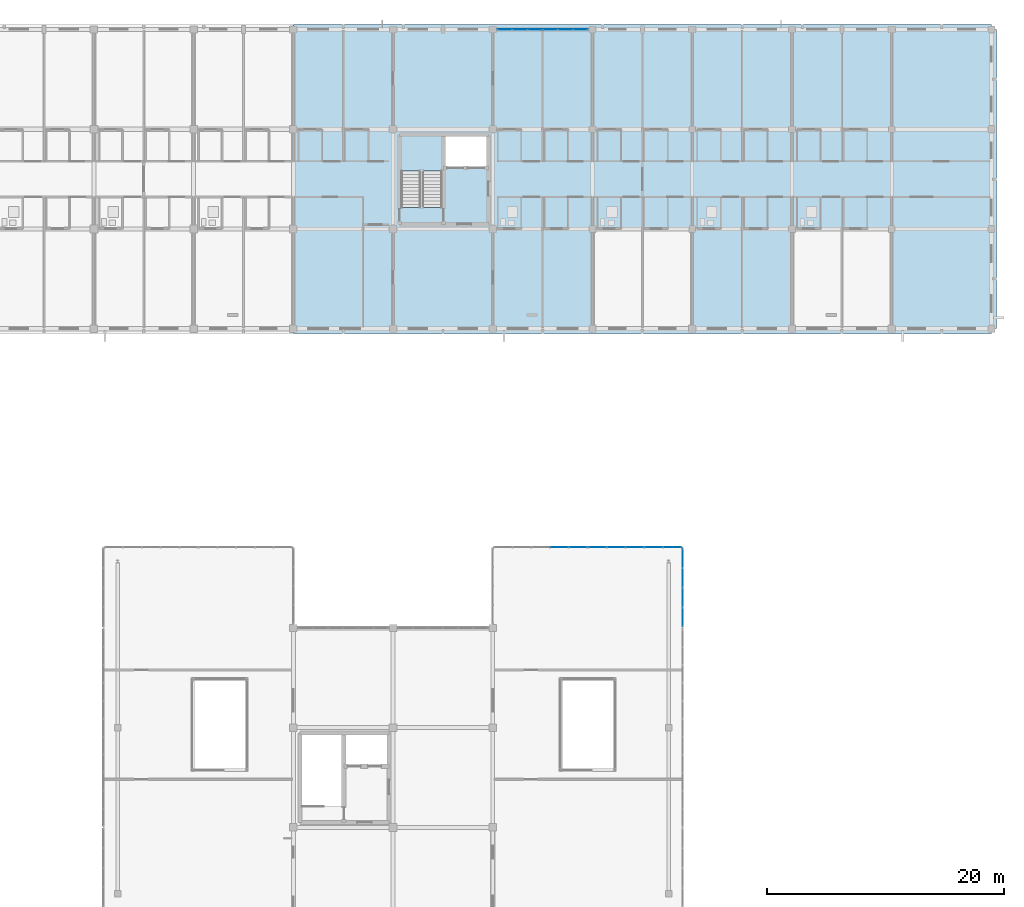
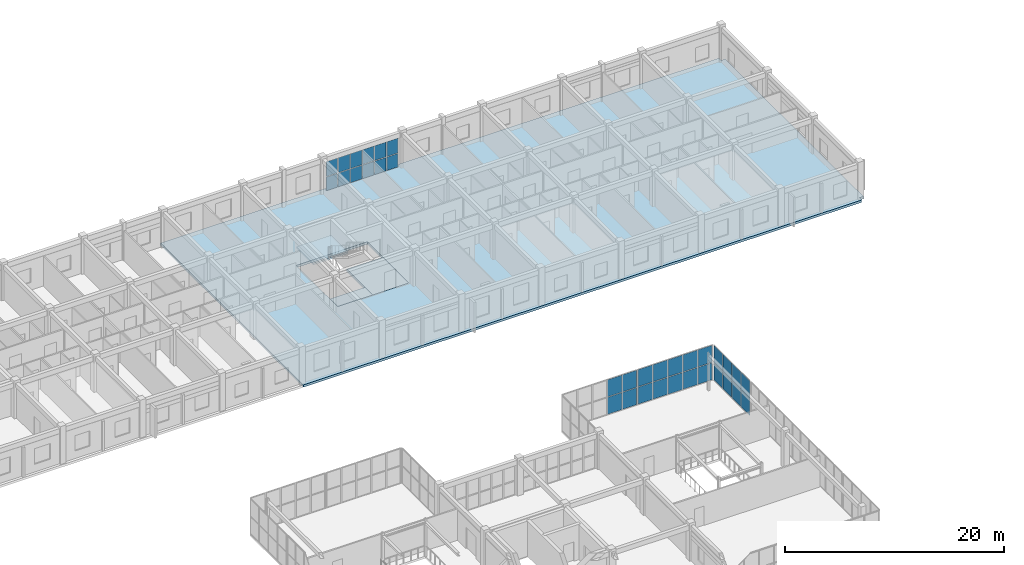
# One storey, part 56 of 81: 34 plates, 4 slabs, 5 elements without a shape of their own.
"""IFC4 building model written with IfcOpenShell, lengths in metres."""

from ifc_helpers import new_model, si_unit, direction, frame, origin, origin_2d, place, context, subcontext, project, spatial, polyline, rectangle, outline, extrude, material, layer, layer_set, type_object, element, aggregate, save


model = new_model("IFC4")

# Units and contexts
model_context = context("Model", 3, precision=1e-05, world=origin(), true_north=direction((0.0, 1.0)))
body_context = subcontext(model_context, "Body", "Model", "MODEL_VIEW")
ifc_project = project(units=[si_unit("LENGTHUNIT", "METRE"), si_unit("AREAUNIT", "SQUARE_METRE"), si_unit("VOLUMEUNIT", "CUBIC_METRE"), si_unit("PLANEANGLEUNIT", "RADIAN"), si_unit("MASSUNIT", "GRAM", prefix="KILO")], contexts=[model_context])

# Site, building, storey
site_placement = place(None, origin())
site = spatial("IfcSite", under=ifc_project, at=site_placement, CompositionType="ELEMENT")
building_placement = place(site_placement, origin())
building = spatial("IfcBuilding", under=site, at=building_placement, Name="Trelvath General Hospital", CompositionType="ELEMENT")
storey_placement = place(building_placement, frame((0.0, 0.0, 24.60009765625)))
storey = spatial("IfcBuildingStorey", under=building, at=storey_placement, Name="L06", CompositionType="ELEMENT", Elevation=24.60009765625)

# Curtain wall, plates
ifc_material_1 = material(Name="Anodised aluminium and low-E glass", Category="aluminium")
ifc_layer_1 = layer(ifc_material_1, 0.14990234375)
ifc_layer_set_1 = layer_set([ifc_layer_1], Name="Anodised aluminium and low-E glass")
curtain_wall_type_1 = type_object("IfcCurtainWallType", Name="CW Facade 767 334 15", PredefinedType="USERDEFINED", material=ifc_layer_set_1)
curtain_wall_1_placement = place(storey_placement, origin())
curtain_wall_1 = element("IfcCurtainWall", 1, at=curtain_wall_1_placement, inside=storey, type_object=curtain_wall_type_1, Name="Facade Curtain Wall CW-083", ObjectType="Unitised Glazed Curtain Wall", PredefinedType="USERDEFINED")
ifc_material_2 = material(Name="Low-E laminated glass", Category="glass")
ifc_layer_2 = layer(ifc_material_2, 0.028076171875)
ifc_layer_set_2 = layer_set([ifc_layer_2], Name="Low-E laminated glass")
plate_type = type_object("IfcPlateType", Name="CurtainPanel Glass28", PredefinedType="CURTAIN_PANEL", material=ifc_layer_set_2)
plate_1_placement = place(storey_placement, frame((93.419189453125, 117.60009765625, 0.06005859375), z_axis=(0.0, 0.0, 1.0), x_axis=(1.0, 0.0, 0.0)))
plate_1 = element("IfcPlate", 2, at=plate_1_placement, type_object=plate_type, Name="CW-083 panel 1.1", PredefinedType="CURTAIN_PANEL", context=body_context, shape_type="SweptSolid", body=[
    extrude(rectangle(XDim=1.188232421875, YDim=0.028076171875, at=origin_2d()), origin(), (0.0, 0.0, 1.0), 1.512939453125),
])
plate_2_placement = place(storey_placement, frame((93.419189453125, 117.60009765625, 1.6328125), z_axis=(0.0, 0.0, 1.0), x_axis=(1.0, 0.0, 0.0)))
plate_2 = element("IfcPlate", 3, at=plate_2_placement, type_object=plate_type, Name="CW-083 panel 1.2", PredefinedType="CURTAIN_PANEL", context=body_context, shape_type="SweptSolid", body=[
    extrude(rectangle(XDim=1.188232421875, YDim=0.028076171875, at=origin_2d()), origin(), (0.0, 0.0, 1.0), 1.64697265625),
])
plate_3_placement = place(storey_placement, frame((94.6826171875, 117.60009765625, 0.06005859375), z_axis=(0.0, 0.0, 1.0), x_axis=(1.0, 0.0, 0.0)))
plate_3 = element("IfcPlate", 4, at=plate_3_placement, type_object=plate_type, Name="CW-083 panel 2.1", PredefinedType="CURTAIN_PANEL", context=body_context, shape_type="SweptSolid", body=[
    extrude(rectangle(XDim=1.21826171875, YDim=0.028076171875, at=origin_2d()), origin(), (0.0, 0.0, 1.0), 1.512939453125),
])
plate_4_placement = place(storey_placement, frame((94.6826171875, 117.60009765625, 1.6328125), z_axis=(0.0, 0.0, 1.0), x_axis=(1.0, 0.0, 0.0)))
plate_4 = element("IfcPlate", 5, at=plate_4_placement, type_object=plate_type, Name="CW-083 panel 2.2", PredefinedType="CURTAIN_PANEL", context=body_context, shape_type="SweptSolid", body=[
    extrude(rectangle(XDim=1.21826171875, YDim=0.028076171875, at=origin_2d()), origin(), (0.0, 0.0, 1.0), 1.64697265625),
])
plate_5_placement = place(storey_placement, frame((95.9609375, 117.60009765625, 0.06005859375), z_axis=(0.0, 0.0, 1.0), x_axis=(1.0, 0.0, 0.0)))
plate_5 = element("IfcPlate", 6, at=plate_5_placement, type_object=plate_type, Name="CW-083 panel 3.1", PredefinedType="CURTAIN_PANEL", context=body_context, shape_type="SweptSolid", body=[
    extrude(rectangle(XDim=1.21826171875, YDim=0.028076171875, at=origin_2d()), origin(), (0.0, 0.0, 1.0), 1.512939453125),
])
plate_6_placement = place(storey_placement, frame((95.9609375, 117.60009765625, 1.6328125), z_axis=(0.0, 0.0, 1.0), x_axis=(1.0, 0.0, 0.0)))
plate_6 = element("IfcPlate", 7, at=plate_6_placement, type_object=plate_type, Name="CW-083 panel 3.2", PredefinedType="CURTAIN_PANEL", context=body_context, shape_type="SweptSolid", body=[
    extrude(rectangle(XDim=1.21826171875, YDim=0.028076171875, at=origin_2d()), origin(), (0.0, 0.0, 1.0), 1.64697265625),
])
plate_7_placement = place(storey_placement, frame((97.2392578125, 117.60009765625, 0.06005859375), z_axis=(0.0, 0.0, 1.0), x_axis=(1.0, 0.0, 0.0)))
plate_7 = element("IfcPlate", 8, at=plate_7_placement, type_object=plate_type, Name="CW-083 panel 4.1", PredefinedType="CURTAIN_PANEL", context=body_context, shape_type="SweptSolid", body=[
    extrude(rectangle(XDim=1.21826171875, YDim=0.028076171875, at=origin_2d()), origin(), (0.0, 0.0, 1.0), 1.512939453125),
])
plate_8_placement = place(storey_placement, frame((97.2392578125, 117.60009765625, 1.6328125), z_axis=(0.0, 0.0, 1.0), x_axis=(1.0, 0.0, 0.0)))
plate_8 = element("IfcPlate", 9, at=plate_8_placement, type_object=plate_type, Name="CW-083 panel 4.2", PredefinedType="CURTAIN_PANEL", context=body_context, shape_type="SweptSolid", body=[
    extrude(rectangle(XDim=1.21826171875, YDim=0.028076171875, at=origin_2d()), origin(), (0.0, 0.0, 1.0), 1.64697265625),
])
plate_9_placement = place(storey_placement, frame((98.517578125, 117.60009765625, 0.06005859375), z_axis=(0.0, 0.0, 1.0), x_axis=(1.0, 0.0, 0.0)))
plate_9 = element("IfcPlate", 10, at=plate_9_placement, type_object=plate_type, Name="CW-083 panel 5.1", PredefinedType="CURTAIN_PANEL", context=body_context, shape_type="SweptSolid", body=[
    extrude(rectangle(XDim=1.21826171875, YDim=0.028076171875, at=origin_2d()), origin(), (0.0, 0.0, 1.0), 1.512939453125),
])
plate_10_placement = place(storey_placement, frame((98.517578125, 117.60009765625, 1.6328125), z_axis=(0.0, 0.0, 1.0), x_axis=(1.0, 0.0, 0.0)))
plate_10 = element("IfcPlate", 11, at=plate_10_placement, type_object=plate_type, Name="CW-083 panel 5.2", PredefinedType="CURTAIN_PANEL", context=body_context, shape_type="SweptSolid", body=[
    extrude(rectangle(XDim=1.21826171875, YDim=0.028076171875, at=origin_2d()), origin(), (0.0, 0.0, 1.0), 1.64697265625),
])
plate_11_placement = place(storey_placement, frame((99.78076171875, 117.60009765625, 0.06005859375), z_axis=(0.0, 0.0, 1.0), x_axis=(1.0, 0.0, 0.0)))
plate_11 = element("IfcPlate", 12, at=plate_11_placement, type_object=plate_type, Name="CW-083 panel 6.1", PredefinedType="CURTAIN_PANEL", context=body_context, shape_type="SweptSolid", body=[
    extrude(rectangle(XDim=1.188232421875, YDim=0.028076171875, at=origin_2d()), origin(), (0.0, 0.0, 1.0), 1.512939453125),
])
plate_12_placement = place(storey_placement, frame((99.78076171875, 117.60009765625, 1.6328125), z_axis=(0.0, 0.0, 1.0), x_axis=(1.0, 0.0, 0.0)))
plate_12 = element("IfcPlate", 13, at=plate_12_placement, type_object=plate_type, Name="CW-083 panel 6.2", PredefinedType="CURTAIN_PANEL", context=body_context, shape_type="SweptSolid", body=[
    extrude(rectangle(XDim=1.188232421875, YDim=0.028076171875, at=origin_2d()), origin(), (0.0, 0.0, 1.0), 1.64697265625),
])
aggregate(curtain_wall_1, [plate_1, plate_2, plate_3, plate_4, plate_5, plate_6, plate_7, plate_8, plate_9, plate_10, plate_11, plate_12])

ifc_material_3 = material(Name="Anodised aluminium and low-E glass", Category="aluminium")
ifc_layer_3 = layer(ifc_material_3, 0.139892578125)
ifc_layer_set_3 = layer_set([ifc_layer_3], Name="Anodised aluminium and low-E glass")
curtain_wall_type_2 = type_object("IfcCurtainWallType", Name="CW CrystalCube 790 396 14", PredefinedType="USERDEFINED", material=ifc_layer_set_3)
curtain_wall_2_placement = place(storey_placement, origin())
curtain_wall_2 = element("IfcCurtainWall", 14, at=curtain_wall_2_placement, inside=storey, type_object=curtain_wall_type_2, Name="Crystal Cube Curtain Wall CUBE-E-T2 N1 L06", ObjectType="Unitised Glazed Curtain Wall", PredefinedType="USERDEFINED")
plate_13_placement = place(storey_placement, frame((98.010009765625, 74.0, 0.06005859375), z_axis=(0.0, 0.0, 1.0), x_axis=(1.0, 0.0, 0.0)))
plate_13 = element("IfcPlate", 15, at=plate_13_placement, type_object=plate_type, Name="CW-334 panel 4.1", PredefinedType="CURTAIN_PANEL", context=body_context, shape_type="SweptSolid", body=[
    extrude(rectangle(XDim=1.52001953125, YDim=0.028076171875, at=origin_2d()), origin(), (0.0, 0.0, 1.0), 1.889892578125),
])
plate_14_placement = place(storey_placement, frame((98.010009765625, 74.0, 2.009765625), z_axis=(0.0, 0.0, 1.0), x_axis=(1.0, 0.0, 0.0)))
plate_14 = element("IfcPlate", 16, at=plate_14_placement, type_object=plate_type, Name="CW-334 panel 4.2", PredefinedType="CURTAIN_PANEL", context=body_context, shape_type="SweptSolid", body=[
    extrude(rectangle(XDim=1.52001953125, YDim=0.028076171875, at=origin_2d()), origin(), (0.0, 0.0, 1.0), 1.889892578125),
])
plate_15_placement = place(storey_placement, frame((99.574951171875, 74.0, 0.06005859375), z_axis=(0.0, 0.0, 1.0), x_axis=(1.0, 0.0, 0.0)))
plate_15 = element("IfcPlate", 17, at=plate_15_placement, type_object=plate_type, Name="CW-334 panel 5.1", PredefinedType="CURTAIN_PANEL", context=body_context, shape_type="SweptSolid", body=[
    extrude(rectangle(XDim=1.489990234375, YDim=0.028076171875, at=origin_2d()), origin(), (0.0, 0.0, 1.0), 1.889892578125),
])
plate_16_placement = place(storey_placement, frame((99.574951171875, 74.0, 2.009765625), z_axis=(0.0, 0.0, 1.0), x_axis=(1.0, 0.0, 0.0)))
plate_16 = element("IfcPlate", 18, at=plate_16_placement, type_object=plate_type, Name="CW-334 panel 5.2", PredefinedType="CURTAIN_PANEL", context=body_context, shape_type="SweptSolid", body=[
    extrude(rectangle(XDim=1.489990234375, YDim=0.028076171875, at=origin_2d()), origin(), (0.0, 0.0, 1.0), 1.889892578125),
])
aggregate(curtain_wall_2, [plate_13, plate_14, plate_15, plate_16])

curtain_wall_3_placement = place(storey_placement, origin())
curtain_wall_3 = element("IfcCurtainWall", 19, at=curtain_wall_3_placement, inside=storey, type_object=curtain_wall_type_2, Name="Crystal Cube Curtain Wall CUBE-E-T2 N2 L06", ObjectType="Unitised Glazed Curtain Wall", PredefinedType="USERDEFINED")
plate_17_placement = place(storey_placement, frame((101.22509765625, 74.0, 0.06005859375), z_axis=(0.0, 0.0, 1.0), x_axis=(1.0, 0.0, 0.0)))
plate_17 = element("IfcPlate", 20, at=plate_17_placement, type_object=plate_type, Name="CW-335 panel 1.1", PredefinedType="CURTAIN_PANEL", context=body_context, shape_type="SweptSolid", body=[
    extrude(rectangle(XDim=1.489990234375, YDim=0.028076171875, at=origin_2d()), origin(), (0.0, 0.0, 1.0), 1.889892578125),
])
plate_18_placement = place(storey_placement, frame((101.22509765625, 74.0, 2.009765625), z_axis=(0.0, 0.0, 1.0), x_axis=(1.0, 0.0, 0.0)))
plate_18 = element("IfcPlate", 21, at=plate_18_placement, type_object=plate_type, Name="CW-335 panel 1.2", PredefinedType="CURTAIN_PANEL", context=body_context, shape_type="SweptSolid", body=[
    extrude(rectangle(XDim=1.489990234375, YDim=0.028076171875, at=origin_2d()), origin(), (0.0, 0.0, 1.0), 1.889892578125),
])
plate_19_placement = place(storey_placement, frame((102.7900390625, 74.0, 0.06005859375), z_axis=(0.0, 0.0, 1.0), x_axis=(1.0, 0.0, 0.0)))
plate_19 = element("IfcPlate", 22, at=plate_19_placement, type_object=plate_type, Name="CW-335 panel 2.1", PredefinedType="CURTAIN_PANEL", context=body_context, shape_type="SweptSolid", body=[
    extrude(rectangle(XDim=1.52001953125, YDim=0.028076171875, at=origin_2d()), origin(), (0.0, 0.0, 1.0), 1.889892578125),
])
plate_20_placement = place(storey_placement, frame((102.7900390625, 74.0, 2.009765625), z_axis=(0.0, 0.0, 1.0), x_axis=(1.0, 0.0, 0.0)))
plate_20 = element("IfcPlate", 23, at=plate_20_placement, type_object=plate_type, Name="CW-335 panel 2.2", PredefinedType="CURTAIN_PANEL", context=body_context, shape_type="SweptSolid", body=[
    extrude(rectangle(XDim=1.52001953125, YDim=0.028076171875, at=origin_2d()), origin(), (0.0, 0.0, 1.0), 1.889892578125),
])
plate_21_placement = place(storey_placement, frame((104.3701171875, 74.0, 0.06005859375), z_axis=(0.0, 0.0, 1.0), x_axis=(1.0, 0.0, 0.0)))
plate_21 = element("IfcPlate", 24, at=plate_21_placement, type_object=plate_type, Name="CW-335 panel 3.1", PredefinedType="CURTAIN_PANEL", context=body_context, shape_type="SweptSolid", body=[
    extrude(rectangle(XDim=1.52001953125, YDim=0.028076171875, at=origin_2d()), origin(), (0.0, 0.0, 1.0), 1.889892578125),
])
plate_22_placement = place(storey_placement, frame((104.3701171875, 74.0, 2.009765625), z_axis=(0.0, 0.0, 1.0), x_axis=(1.0, 0.0, 0.0)))
plate_22 = element("IfcPlate", 25, at=plate_22_placement, type_object=plate_type, Name="CW-335 panel 3.2", PredefinedType="CURTAIN_PANEL", context=body_context, shape_type="SweptSolid", body=[
    extrude(rectangle(XDim=1.52001953125, YDim=0.028076171875, at=origin_2d()), origin(), (0.0, 0.0, 1.0), 1.889892578125),
])
plate_23_placement = place(storey_placement, frame((105.949951171875, 74.0, 0.06005859375), z_axis=(0.0, 0.0, 1.0), x_axis=(1.0, 0.0, 0.0)))
plate_23 = element("IfcPlate", 26, at=plate_23_placement, type_object=plate_type, Name="CW-335 panel 4.1", PredefinedType="CURTAIN_PANEL", context=body_context, shape_type="SweptSolid", body=[
    extrude(rectangle(XDim=1.52001953125, YDim=0.028076171875, at=origin_2d()), origin(), (0.0, 0.0, 1.0), 1.889892578125),
])
plate_24_placement = place(storey_placement, frame((105.949951171875, 74.0, 2.009765625), z_axis=(0.0, 0.0, 1.0), x_axis=(1.0, 0.0, 0.0)))
plate_24 = element("IfcPlate", 27, at=plate_24_placement, type_object=plate_type, Name="CW-335 panel 4.2", PredefinedType="CURTAIN_PANEL", context=body_context, shape_type="SweptSolid", body=[
    extrude(rectangle(XDim=1.52001953125, YDim=0.028076171875, at=origin_2d()), origin(), (0.0, 0.0, 1.0), 1.889892578125),
])
plate_25_placement = place(storey_placement, frame((107.514892578125, 74.0, 0.06005859375), z_axis=(0.0, 0.0, 1.0), x_axis=(1.0, 0.0, 0.0)))
plate_25 = element("IfcPlate", 28, at=plate_25_placement, type_object=plate_type, Name="CW-335 panel 5.1", PredefinedType="CURTAIN_PANEL", context=body_context, shape_type="SweptSolid", body=[
    extrude(rectangle(XDim=1.489990234375, YDim=0.028076171875, at=origin_2d()), origin(), (0.0, 0.0, 1.0), 1.889892578125),
])
plate_26_placement = place(storey_placement, frame((107.514892578125, 74.0, 2.009765625), z_axis=(0.0, 0.0, 1.0), x_axis=(1.0, 0.0, 0.0)))
plate_26 = element("IfcPlate", 29, at=plate_26_placement, type_object=plate_type, Name="CW-335 panel 5.2", PredefinedType="CURTAIN_PANEL", context=body_context, shape_type="SweptSolid", body=[
    extrude(rectangle(XDim=1.489990234375, YDim=0.028076171875, at=origin_2d()), origin(), (0.0, 0.0, 1.0), 1.889892578125),
])
aggregate(curtain_wall_3, [plate_17, plate_18, plate_19, plate_20, plate_21, plate_22, plate_23, plate_24, plate_25, plate_26])

ifc_material_4 = material(Name="Anodised aluminium and low-E glass", Category="aluminium")
ifc_layer_4 = layer(ifc_material_4, 0.139892578125)
ifc_layer_set_4 = layer_set([ifc_layer_4], Name="Anodised aluminium and low-E glass")
curtain_wall_type_3 = type_object("IfcCurtainWallType", Name="CW CrystalCube 664 396 14", PredefinedType="USERDEFINED", material=ifc_layer_set_4)
curtain_wall_4_placement = place(storey_placement, origin())
curtain_wall_4 = element("IfcCurtainWall", 30, at=curtain_wall_4_placement, inside=storey, type_object=curtain_wall_type_3, Name="Crystal Cube Curtain Wall CUBE-E-T2 E3 L06", ObjectType="Unitised Glazed Curtain Wall", PredefinedType="USERDEFINED")
plate_27_placement = place(storey_placement, frame((108.39990234375, 73.074951171875, 0.06005859375), z_axis=(0.0, 0.0, 1.0), x_axis=(0.0, -1.0, 0.0)))
plate_27 = element("IfcPlate", 31, at=plate_27_placement, type_object=plate_type, Name="CW-338 panel 1.1", PredefinedType="CURTAIN_PANEL", context=body_context, shape_type="SweptSolid", body=[
    extrude(rectangle(XDim=1.570068359375, YDim=0.028076171875, at=origin_2d()), origin(), (0.0, 0.0, 1.0), 1.889892578125),
])
plate_28_placement = place(storey_placement, frame((108.39990234375, 73.074951171875, 2.009765625), z_axis=(0.0, 0.0, 1.0), x_axis=(0.0, -1.0, 0.0)))
plate_28 = element("IfcPlate", 32, at=plate_28_placement, type_object=plate_type, Name="CW-338 panel 1.2", PredefinedType="CURTAIN_PANEL", context=body_context, shape_type="SweptSolid", body=[
    extrude(rectangle(XDim=1.570068359375, YDim=0.028076171875, at=origin_2d()), origin(), (0.0, 0.0, 1.0), 1.889892578125),
])
plate_29_placement = place(storey_placement, frame((108.39990234375, 71.429931640625, 0.06005859375), z_axis=(0.0, 0.0, 1.0), x_axis=(0.0, -1.0, 0.0)))
plate_29 = element("IfcPlate", 33, at=plate_29_placement, type_object=plate_type, Name="CW-338 panel 2.1", PredefinedType="CURTAIN_PANEL", context=body_context, shape_type="SweptSolid", body=[
    extrude(rectangle(XDim=1.60009765625, YDim=0.028076171875, at=origin_2d()), origin(), (0.0, 0.0, 1.0), 1.889892578125),
])
plate_30_placement = place(storey_placement, frame((108.39990234375, 71.429931640625, 2.009765625), z_axis=(0.0, 0.0, 1.0), x_axis=(0.0, -1.0, 0.0)))
plate_30 = element("IfcPlate", 34, at=plate_30_placement, type_object=plate_type, Name="CW-338 panel 2.2", PredefinedType="CURTAIN_PANEL", context=body_context, shape_type="SweptSolid", body=[
    extrude(rectangle(XDim=1.60009765625, YDim=0.028076171875, at=origin_2d()), origin(), (0.0, 0.0, 1.0), 1.889892578125),
])
plate_31_placement = place(storey_placement, frame((108.39990234375, 69.77001953125, 0.06005859375), z_axis=(0.0, 0.0, 1.0), x_axis=(0.0, -1.0, 0.0)))
plate_31 = element("IfcPlate", 35, at=plate_31_placement, type_object=plate_type, Name="CW-338 panel 3.1", PredefinedType="CURTAIN_PANEL", context=body_context, shape_type="SweptSolid", body=[
    extrude(rectangle(XDim=1.60009765625, YDim=0.028076171875, at=origin_2d()), origin(), (0.0, 0.0, 1.0), 1.889892578125),
])
plate_32_placement = place(storey_placement, frame((108.39990234375, 69.77001953125, 2.009765625), z_axis=(0.0, 0.0, 1.0), x_axis=(0.0, -1.0, 0.0)))
plate_32 = element("IfcPlate", 36, at=plate_32_placement, type_object=plate_type, Name="CW-338 panel 3.2", PredefinedType="CURTAIN_PANEL", context=body_context, shape_type="SweptSolid", body=[
    extrude(rectangle(XDim=1.60009765625, YDim=0.028076171875, at=origin_2d()), origin(), (0.0, 0.0, 1.0), 1.889892578125),
])
plate_33_placement = place(storey_placement, frame((108.39990234375, 68.125, 0.06005859375), z_axis=(0.0, 0.0, 1.0), x_axis=(0.0, -1.0, 0.0)))
plate_33 = element("IfcPlate", 37, at=plate_33_placement, type_object=plate_type, Name="CW-338 panel 4.1", PredefinedType="CURTAIN_PANEL", context=body_context, shape_type="SweptSolid", body=[
    extrude(rectangle(XDim=1.570068359375, YDim=0.028076171875, at=origin_2d()), origin(), (0.0, 0.0, 1.0), 1.889892578125),
])
plate_34_placement = place(storey_placement, frame((108.39990234375, 68.125, 2.009765625), z_axis=(0.0, 0.0, 1.0), x_axis=(0.0, -1.0, 0.0)))
plate_34 = element("IfcPlate", 38, at=plate_34_placement, type_object=plate_type, Name="CW-338 panel 4.2", PredefinedType="CURTAIN_PANEL", context=body_context, shape_type="SweptSolid", body=[
    extrude(rectangle(XDim=1.570068359375, YDim=0.028076171875, at=origin_2d()), origin(), (0.0, 0.0, 1.0), 1.889892578125),
])
aggregate(curtain_wall_4, [plate_27, plate_28, plate_29, plate_30, plate_31, plate_32, plate_33, plate_34])

# Slabs
ifc_material_5 = material(Name="Concrete C35/45", Category="concrete")
ifc_layer_5 = layer(ifc_material_5, 0.260009765625)
ifc_layer_set_5 = layer_set([ifc_layer_5], Name="Concrete C35/45")
slab_type_1 = type_object("IfcSlabType", Name="FlatSlab Ward260", PredefinedType="FLOOR", material=ifc_layer_set_5)
slab_1_placement = place(storey_placement, frame((0.0, 0.0, -0.260009765625)))
element("IfcSlab", 39, at=slab_1_placement, inside=storey, type_object=slab_type_1, Name="Floor Slab SL-L06-V5-N1", PredefinedType="FLOOR", context=body_context, shape_type="SweptSolid", body=[
    extrude(outline(polyline([(75.6201171875, 91.97998046875), (75.6201171875, 118.02001953125), (134.39990234375, 118.02001953125), (134.39990234375, 117.60009765625), (134.820068359375, 117.60009765625), (134.820068359375, 92.39990234375), (134.39990234375, 92.39990234375), (134.39990234375, 91.97998046875), (75.6201171875, 91.97998046875)]), holes=[polyline([(84.550048828125, 101.199951171875), (92.050048828125, 101.199951171875), (92.050048828125, 108.75), (84.550048828125, 108.75), (84.550048828125, 101.199951171875)])]), origin(), (0.0, 0.0, 1.0), 0.260009765625),
])
slab_2_placement = place(storey_placement, frame((0.0, 0.0, -0.260009765625)))
element("IfcSlab", 40, at=slab_2_placement, inside=storey, type_object=slab_type_1, Name="Core Lobby Slab C2 L06", PredefinedType="FLOOR", context=body_context, shape_type="SweptSolid", body=[
    extrude(outline(polyline([(88.25, 101.199951171875), (92.050048828125, 101.199951171875), (92.050048828125, 105.949951171875), (88.25, 105.949951171875), (88.25, 101.199951171875)])), origin(), (0.0, 0.0, 1.0), 0.260009765625),
])
slab_3_placement = place(storey_placement, frame((0.0, 0.0, -0.260009765625)))
element("IfcSlab", 41, at=slab_3_placement, inside=storey, type_object=slab_type_1, Name="Stair Landing Slab C2 L06", PredefinedType="FLOOR", context=body_context, shape_type="SweptSolid", body=[
    extrude(outline(polyline([(84.550048828125, 101.199951171875), (88.25, 101.199951171875), (88.25, 102.60009765625), (84.550048828125, 102.60009765625), (84.550048828125, 101.199951171875)])), origin(), (0.0, 0.0, 1.0), 0.260009765625),
])

# Stair, slab
ifc_material_6 = material(Name="Concrete C35/45", Category="concrete")
stair_type = type_object("IfcStairType", Name="Stair Stretcher420", PredefinedType="TWO_STRAIGHT_RUN_STAIR", material=ifc_material_6)
stair_placement = place(storey_placement, origin())
stair = element("IfcStair", 42, at=stair_placement, inside=storey, type_object=stair_type, Name="Exit Stair ST2 L06", PredefinedType="TWO_STRAIGHT_RUN_STAIR")
ifc_material_7 = material(Name="Concrete C35/45", Category="concrete")
ifc_layer_6 = layer(ifc_material_7, 0.199951171875)
ifc_layer_set_6 = layer_set([ifc_layer_6], Name="Concrete C35/45")
slab_type_2 = type_object("IfcSlabType", Name="StairLanding 200", PredefinedType="LANDING", material=ifc_layer_set_6)
slab_4_placement = place(storey_placement, frame((0.0, 0.0, 1.89990234375)))
slab_4 = element("IfcSlab", 43, at=slab_4_placement, type_object=slab_type_2, Name="ST2-L06 landing 1", PredefinedType="LANDING", context=body_context, shape_type="SweptSolid", body=[
    extrude(outline(polyline([(84.56005859375, 105.679931640625), (88.239990234375, 105.679931640625), (88.239990234375, 108.739990234375), (84.56005859375, 108.739990234375), (84.56005859375, 105.679931640625)])), origin(), (0.0, 0.0, 1.0), 0.199951171875),
])
aggregate(stair, [slab_4])

save(model, "model.ifc")
